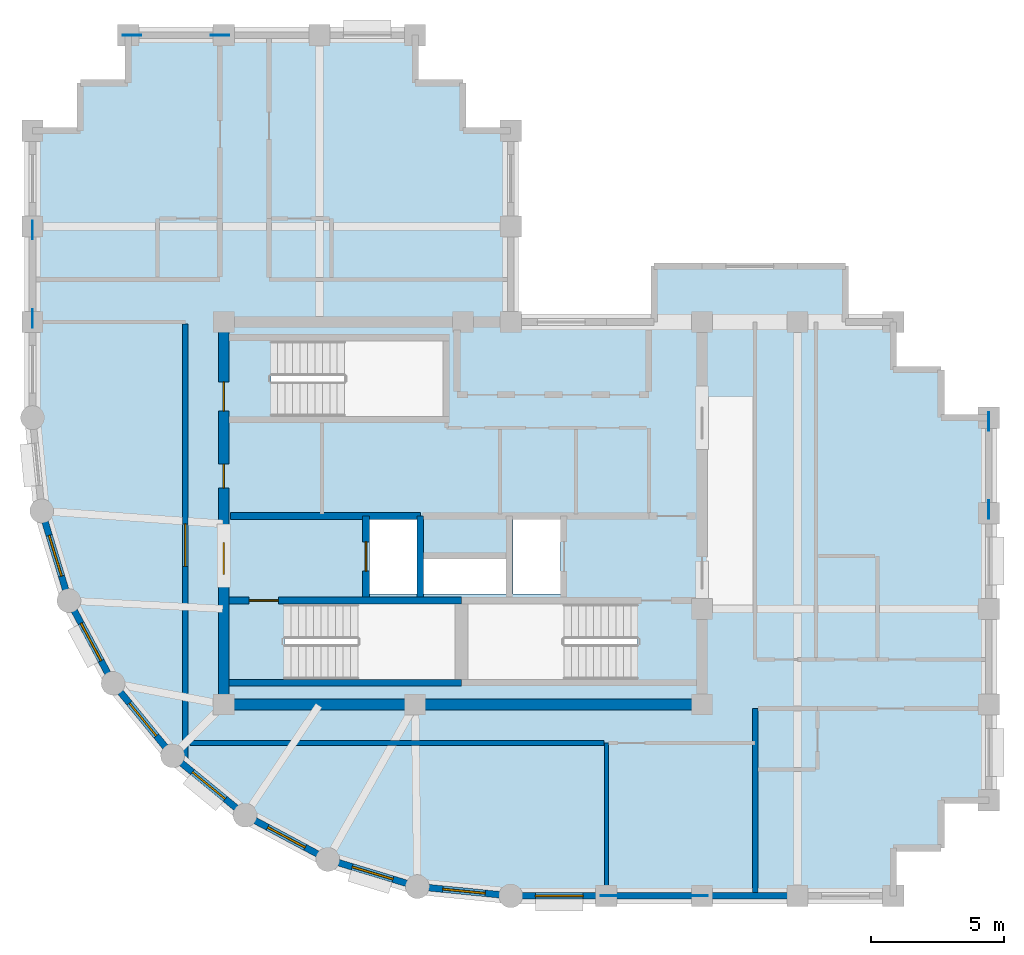
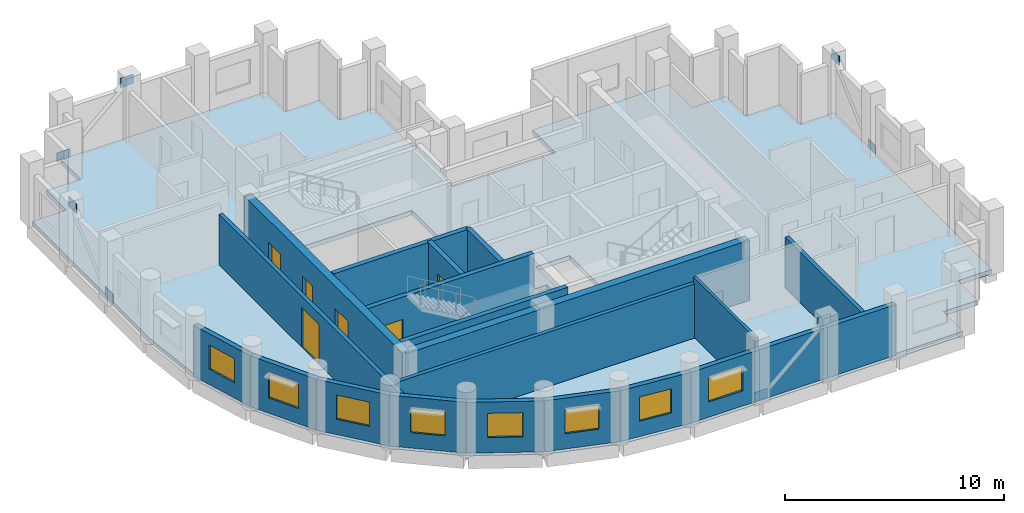
# One storey, part 2 of 7: 21 walls, 8 plates, 8 windows, 6 doors, 1 slab, 14 openings.
"""IFC4 building model written with IfcOpenShell, lengths in metres."""

from ifc_helpers import new_model, si_unit, direction, frame, frame_2d, origin, origin_2d, place, context, subcontext, project, spatial, polyline, rectangle, outline, extrude, material, layer, layer_set, type_object, element, fill, save


model = new_model("IFC4")

# Units and contexts
model_context = context("Model", 3, precision=1e-05, world=origin(), true_north=direction((0.0, 1.0)))
body_context = subcontext(model_context, "Body", "Model", "MODEL_VIEW")
ifc_project = project(units=[si_unit("LENGTHUNIT", "METRE"), si_unit("AREAUNIT", "SQUARE_METRE"), si_unit("VOLUMEUNIT", "CUBIC_METRE"), si_unit("PLANEANGLEUNIT", "RADIAN"), si_unit("MASSUNIT", "GRAM", prefix="KILO")], contexts=[model_context])

# Site, building, storey
site_placement = place(None, origin())
site = spatial("IfcSite", under=ifc_project, at=site_placement, CompositionType="ELEMENT")
building_placement = place(site_placement, origin())
building = spatial("IfcBuilding", under=site, at=building_placement, Name="Solnavia Interchange Tower", CompositionType="ELEMENT")
storey_placement = place(building_placement, frame((0.0, 0.0, 281.0)))
storey = spatial("IfcBuildingStorey", under=building, at=storey_placement, Name="L71", CompositionType="ELEMENT", Elevation=281.0)

# Plates
ifc_material_1 = material(Name="Steel S460", Category="steel")
ifc_layer_1 = layer(ifc_material_1, 0.030029296875)
ifc_layer_set_1 = layer_set([ifc_layer_1], Name="Steel S460")
plate_type = type_object("IfcPlateType", Name="Plate-Gusset-700x520x30", PredefinedType="USERDEFINED", material=ifc_layer_set_1)
for number, where, z_axis, x_axis, name in (
    (1, (28.93994140625, 3.60009765625, -0.080078125), (0.0, 0.0, 1.0), (1.0, 0.0, 0.0), "PLT-L71-GP01 Perimeter brace gusset plate"),
    (2, (32.260009765625, 3.60009765625, 2.909912109375), (0.0, 0.0, 1.0), (1.0, 0.0, 0.0), "PLT-L71-GP02 Perimeter brace gusset plate"),
    (3, (7.199951171875, 25.340087890625, -0.080078125), (0.0, 0.0, 1.0), (0.0, 1.0, 0.0), "PLT-L71-GP03 Perimeter brace gusset plate"),
    (4, (7.199951171875, 28.659912109375, 2.909912109375), (0.0, 0.0, 1.0), (0.0, 1.0, 0.0), "PLT-L71-GP04 Perimeter brace gusset plate"),
    (5, (43.199951171875, 18.139892578125, -0.080078125), (0.0, 0.0, 1.0), (0.0, 1.0, 0.0), "PLT-L71-GP05 Perimeter brace gusset plate"),
    (6, (43.199951171875, 21.4599609375, 2.909912109375), (0.0, 0.0, 1.0), (0.0, 1.0, 0.0), "PLT-L71-GP06 Perimeter brace gusset plate"),
    (7, (10.93994140625, 36.0, -0.080078125), (0.0, 0.0, 1.0), (1.0, 0.0, 0.0), "PLT-L71-GP07 Perimeter brace gusset plate"),
    (8, (14.260009765625, 36.0, 2.909912109375), (0.0, 0.0, 1.0), (1.0, 0.0, 0.0), "PLT-L71-GP08 Perimeter brace gusset plate"),
):
    element("IfcPlate", number, at=place(storey_placement, frame(where, z_axis=z_axis, x_axis=x_axis)), inside=storey, type_object=plate_type, Name=name, ObjectType="GUSSET PLATE", PredefinedType="USERDEFINED", context=body_context, shape_type="SweptSolid", body=[
        extrude(rectangle(XDim=0.699951171875, YDim=0.030029296875, at=origin_2d()), origin(), (0.0, 0.0, 1.0), 0.52001953125),
    ])

# Slab
ifc_material_2 = material(Name="Concrete C40/50", Category="concrete")
ifc_layer_2 = layer(ifc_material_2, 0.25)
ifc_layer_set_2 = layer_set([ifc_layer_2], Name="Concrete C40/50")
slab_type = type_object("IfcSlabType", Name="Slab-Tower-250", PredefinedType="FLOOR", material=ifc_layer_set_2)
slab_placement = place(storey_placement, frame((0.0, 0.0, -0.25)))
element("IfcSlab", 9, at=slab_placement, inside=storey, type_object=slab_type, Name="SLB-L71-01 Structural floor slab", PredefinedType="FLOOR", context=body_context, shape_type="SweptSolid", body=[
    extrude(outline(polyline([(25.199951171875, 3.60009765625), (39.60009765625, 3.60009765625), (39.60009765625, 5.39990234375), (41.39990234375, 5.39990234375), (41.39990234375, 7.199951171875), (43.199951171875, 7.199951171875), (43.199951171875, 21.60009765625), (41.39990234375, 21.60009765625), (41.39990234375, 23.39990234375), (39.60009765625, 23.39990234375), (39.60009765625, 25.199951171875), (37.800048828125, 25.199951171875), (37.800048828125, 27.300048828125), (30.60009765625, 27.300048828125), (30.60009765625, 25.199951171875), (25.199951171875, 25.199951171875), (25.199951171875, 32.39990234375), (23.39990234375, 32.39990234375), (23.39990234375, 34.199951171875), (21.60009765625, 34.199951171875), (21.60009765625, 36.0), (10.800048828125, 36.0), (10.800048828125, 34.199951171875), (9.0, 34.199951171875), (9.0, 32.39990234375), (7.199951171875, 32.39990234375), (7.199951171875, 21.60009765625), (7.5458984375, 18.087890625), (8.570068359375, 14.7119140625), (10.23388671875, 11.60009765625), (12.471923828125, 8.8720703125), (15.199951171875, 6.634033203125), (18.31201171875, 4.969970703125), (21.68798828125, 3.946044921875), (25.199951171875, 3.60009765625)]), holes=[polyline([(16.675048828125, 11.75), (23.10009765625, 11.75), (23.10009765625, 14.590087890625), (16.675048828125, 14.590087890625), (16.675048828125, 11.75)]), polyline([(23.60009765625, 11.75), (29.97509765625, 11.75), (29.97509765625, 14.590087890625), (23.60009765625, 14.590087890625), (23.60009765625, 11.75)]), polyline([(16.175048828125, 21.64990234375), (22.64990234375, 21.64990234375), (22.64990234375, 24.489990234375), (16.175048828125, 24.489990234375), (16.175048828125, 21.64990234375)]), polyline([(19.8798828125, 14.9599609375), (21.679931640625, 14.9599609375), (21.679931640625, 17.780029296875), (19.8798828125, 17.780029296875), (19.8798828125, 14.9599609375)]), polyline([(25.280029296875, 14.9599609375), (27.080078125, 14.9599609375), (27.080078125, 17.780029296875), (25.280029296875, 17.780029296875), (25.280029296875, 14.9599609375)]), polyline([(21.919921875, 14.9599609375), (25.02001953125, 14.9599609375), (25.02001953125, 16.280029296875), (21.919921875, 16.280029296875), (21.919921875, 14.9599609375)])]), origin(), (0.0, 0.0, 1.0), 0.25),
])

# Wall, opening, door
ifc_material_3 = material(Name="Gypsum Acoustic Twin-Stud & Mineral Wool", Category="gypsum")
ifc_layer_3 = layer(ifc_material_3, 0.199951171875)
ifc_layer_set_3 = layer_set([ifc_layer_3], Name="Gypsum Acoustic Twin-Stud & Mineral Wool")
wall_type_1 = type_object("IfcWallType", Name="Wall-ApartmentParty-200", PredefinedType="PARTITIONING", material=ifc_layer_set_3)
wall_1_placement = place(storey_placement, frame((12.949951171875, 8.60888671875, 0.0), z_axis=(0.0, 0.0, 1.0), x_axis=(0.0, 1.0, 0.0)))
wall_1 = element("IfcWall", 10, at=wall_1_placement, inside=storey, type_object=wall_type_1, Name="PTW-L71-09 Interior partition wall", PredefinedType="PARTITIONING", context=body_context, shape_type="SweptSolid", body=[
    extrude(rectangle(XDim=16.51220703125, YDim=0.199951171875, at=frame_2d((8.256103515625, 0.0))), origin(), (0.0, 0.0, 1.0), 2.830078125),
])
opening_1_placement = place(wall_1_placement, frame((7.39111328125, 0.0, 0.0)))
opening_1 = element("IfcOpeningElement", 11, at=opening_1_placement, cuts=wall_1, Name="Opening DR-08", PredefinedType="OPENING", context=body_context, shape_type="SweptSolid", body=[
    extrude(rectangle(XDim=1.60009765625, YDim=2.199951171875, at=frame_2d((0.800048828125, 1.10009765625))), frame((0.0, 0.10986328125, 0.0), z_axis=(0.0, -1.0, 0.0), x_axis=(1.0, 0.0, 0.0)), (0.0, 0.0, 1.0), 0.219970703125),
])
ifc_material_4 = material(Name="Thermally Broken Aluminium & Toughened Glass", Category="aluminium")
door_type_1 = type_object("IfcDoorType", Name="Door-RetailDouble-1600x2200", OperationType="DOUBLE_DOOR_SINGLE_SWING", PredefinedType="DOOR", material=ifc_material_4)
door_1_placement = place(opening_1_placement, origin())
door_1 = element("IfcDoor", 12, at=door_1_placement, inside=storey, type_object=door_type_1, Name="DR-L71-03 Interior room door", OperationType="DOUBLE_DOOR_SINGLE_SWING", OverallHeight=2.199951171875, OverallWidth=1.60009765625, PredefinedType="DOOR", context=body_context, shape_type="SweptSolid", body=[
    extrude(rectangle(XDim=1.60009765625, YDim=2.199951171875, at=frame_2d((0.800048828125, 1.10009765625))), frame((0.0, 0.02490234375, 0.0), z_axis=(0.0, -1.0, 0.0), x_axis=(1.0, 0.0, 0.0)), (0.0, 0.0, 1.0), 0.050048828125),
])
fill(opening_1, door_1)

# Walls
wall_2_placement = place(storey_placement, frame((13.1298828125, 9.35009765625, 0.0), z_axis=(0.0, 0.0, 1.0), x_axis=(1.0, 0.0, 0.0)))
element("IfcWall", 13, at=wall_2_placement, inside=storey, type_object=wall_type_1, Name="PTW-L71-10 Interior partition wall", PredefinedType="PARTITIONING", context=body_context, shape_type="SweptSolid", body=[
    extrude(rectangle(XDim=15.591064453125, YDim=0.199951171875, at=frame_2d((7.79541015625, 0.0))), origin(), (0.0, 0.0, 1.0), 3.02001953125),
])
wall_3_placement = place(storey_placement, frame((34.39990234375, 3.72900390625, 0.0), z_axis=(0.0, 0.0, 1.0), x_axis=(0.0, 1.0, 0.0)))
element("IfcWall", 14, at=wall_3_placement, inside=storey, type_object=wall_type_1, Name="PTW-L71-12 Interior partition wall", PredefinedType="PARTITIONING", context=body_context, shape_type="SweptSolid", body=[
    extrude(rectangle(XDim=6.9208984375, YDim=0.199951171875, at=frame_2d((3.46044921875, 0.0))), origin(), (0.0, 0.0, 1.0), 2.830078125),
])

# Wall, opening, window
ifc_layer_4 = layer(ifc_material_2, 0.25)
ifc_layer_set_4 = layer_set([ifc_layer_4], Name="Concrete C40/50")
wall_type_2 = type_object("IfcWallType", Name="Wall-ExtSpandrel-250", PredefinedType="STANDARD", material=ifc_layer_set_4)
wall_4_placement = place(storey_placement, frame((28.800048828125, 3.60009765625, 0.0), z_axis=(0.0, 0.0, 1.0), x_axis=(-1.0, 0.0, 0.0)))
wall_4 = element("IfcWall", 15, at=wall_4_placement, inside=storey, type_object=wall_type_2, Name="EXW-L71-01 Exterior precast spandrel wall", PredefinedType="STANDARD", context=body_context, shape_type="SweptSolid", body=[
    extrude(rectangle(XDim=3.60009765625, YDim=0.25, at=frame_2d((1.800048828125, 0.0))), origin(), (0.0, 0.0, 1.0), 2.830078125),
])
opening_2_placement = place(wall_4_placement, frame((0.875, 0.0, 0.85009765625)))
opening_2 = element("IfcOpeningElement", 16, at=opening_2_placement, cuts=wall_4, Name="Opening WIN-02", PredefinedType="OPENING", context=body_context, shape_type="SweptSolid", body=[
    extrude(rectangle(XDim=1.800048828125, YDim=1.35009765625, at=frame_2d((0.89990234375, 0.675048828125))), frame((0.0, 0.135009765625, 0.0), z_axis=(0.0, -1.0, 0.0), x_axis=(1.0, 0.0, 0.0)), (0.0, 0.0, 1.0), 0.27001953125),
])
ifc_material_5 = material(Name="Thermal-Break Aluminium & Low-E Glass", Category="aluminium")
window_type_1 = type_object("IfcWindowType", Name="Window-Ribbon-1800x1350", PartitioningType="SINGLE_PANEL", PredefinedType="WINDOW", material=ifc_material_5)
window_1_placement = place(opening_2_placement, origin())
window_1 = element("IfcWindow", 17, at=window_1_placement, inside=storey, type_object=window_type_1, Name="WIN-L71-01 Facade ribbon window", OverallHeight=1.35009765625, OverallWidth=1.800048828125, PartitioningType="SINGLE_PANEL", PredefinedType="WINDOW", context=body_context, shape_type="SweptSolid", body=[
    extrude(rectangle(XDim=1.800048828125, YDim=1.35009765625, at=frame_2d((0.89990234375, 0.675048828125))), frame((0.0, 0.030029296875, 0.0), z_axis=(0.0, -1.0, 0.0), x_axis=(1.0, 0.0, 0.0)), (0.0, 0.0, 1.0), 0.06005859375),
])
fill(opening_2, window_1)

# Walls
wall_5_placement = place(storey_placement, frame((32.39990234375, 3.60009765625, 0.0), z_axis=(0.0, 0.0, 1.0), x_axis=(-1.0, 0.0, 0.0)))
element("IfcWall", 18, at=wall_5_placement, inside=storey, type_object=wall_type_2, Name="EXW-L71-02 Exterior precast spandrel wall", PredefinedType="STANDARD", context=body_context, shape_type="SweptSolid", body=[
    extrude(rectangle(XDim=3.599853515625, YDim=0.25, at=frame_2d((1.7998046875, 0.0))), origin(), (0.0, 0.0, 1.0), 2.830078125),
])
wall_6_placement = place(storey_placement, frame((36.0, 3.60009765625, 0.0), z_axis=(0.0, 0.0, 1.0), x_axis=(-1.0, 0.0, 0.0)))
element("IfcWall", 19, at=wall_6_placement, inside=storey, type_object=wall_type_2, Name="EXW-L71-03 Exterior precast spandrel wall", PredefinedType="STANDARD", context=body_context, shape_type="SweptSolid", body=[
    extrude(rectangle(XDim=3.60009765625, YDim=0.25, at=frame_2d((1.800048828125, 0.0))), origin(), (0.0, 0.0, 1.0), 2.830078125),
])

# Wall, opening, window
wall_7_placement = place(storey_placement, frame((8.570068359375, 14.7119140625, 0.0), z_axis=(0.0, 0.0, 1.0), x_axis=(-0.290305086481, 0.956934144423, 0.0)))
wall_7 = element("IfcWall", 20, at=wall_7_placement, inside=storey, type_object=wall_type_2, Name="EXW-L71-42 Exterior precast spandrel wall", PredefinedType="STANDARD", context=body_context, shape_type="SweptSolid", body=[
    extrude(rectangle(XDim=3.52783203125, YDim=0.25, at=frame_2d((1.763916015625, 0.0))), origin(), (0.0, 0.0, 1.0), 2.830078125),
])
opening_3_placement = place(wall_7_placement, frame((0.964111328125, 0.0, 0.85009765625)))
opening_3 = element("IfcOpeningElement", 21, at=opening_3_placement, cuts=wall_7, Name="Opening WIN-04", PredefinedType="OPENING", context=body_context, shape_type="SweptSolid", body=[
    extrude(rectangle(XDim=1.60009765625, YDim=1.35009765625, at=frame_2d((0.800048828125, 0.675048828125))), frame((0.0, 0.135009765625, 0.0), z_axis=(0.0, -1.0, 0.0), x_axis=(1.0, 0.0, 0.0)), (0.0, 0.0, 1.0), 0.27001953125),
])
window_type_2 = type_object("IfcWindowType", Name="Window-Drum-1600x1350", PartitioningType="SINGLE_PANEL", PredefinedType="WINDOW", material=ifc_material_5)
window_2_placement = place(opening_3_placement, origin())
window_2 = element("IfcWindow", 22, at=window_2_placement, inside=storey, type_object=window_type_2, Name="WIN-L71-42 Facade ribbon window", OverallHeight=1.35009765625, OverallWidth=1.60009765625, PartitioningType="SINGLE_PANEL", PredefinedType="WINDOW", context=body_context, shape_type="SweptSolid", body=[
    extrude(rectangle(XDim=1.60009765625, YDim=1.35009765625, at=frame_2d((0.800048828125, 0.675048828125))), frame((0.0, 0.030029296875, 0.0), z_axis=(0.0, -1.0, 0.0), x_axis=(1.0, 0.0, 0.0)), (0.0, 0.0, 1.0), 0.06005859375),
])
fill(opening_3, window_2)

wall_8_placement = place(storey_placement, frame((10.23388671875, 11.60009765625, 0.0), z_axis=(0.0, 0.0, 1.0), x_axis=(-0.47151087309, 0.881860247748, 0.0)))
wall_8 = element("IfcWall", 23, at=wall_8_placement, inside=storey, type_object=wall_type_2, Name="EXW-L71-43 Exterior precast spandrel wall", PredefinedType="STANDARD", context=body_context, shape_type="SweptSolid", body=[
    extrude(rectangle(XDim=3.52880859375, YDim=0.25, at=frame_2d((1.764404296875, 0.0))), origin(), (0.0, 0.0, 1.0), 2.830078125),
])
opening_4_placement = place(wall_8_placement, frame((0.964111328125, 0.0, 0.85009765625)))
opening_4 = element("IfcOpeningElement", 24, at=opening_4_placement, cuts=wall_8, Name="Opening WIN-04", PredefinedType="OPENING", context=body_context, shape_type="SweptSolid", body=[
    extrude(rectangle(XDim=1.60009765625, YDim=1.35009765625, at=frame_2d((0.800048828125, 0.675048828125))), frame((0.0, 0.135009765625, 0.0), z_axis=(0.0, -1.0, 0.0), x_axis=(1.0, 0.0, 0.0)), (0.0, 0.0, 1.0), 0.27001953125),
])
window_3_placement = place(opening_4_placement, origin())
window_3 = element("IfcWindow", 25, at=window_3_placement, inside=storey, type_object=window_type_2, Name="WIN-L71-43 Facade ribbon window", OverallHeight=1.35009765625, OverallWidth=1.60009765625, PartitioningType="SINGLE_PANEL", PredefinedType="WINDOW", context=body_context, shape_type="SweptSolid", body=[
    extrude(rectangle(XDim=1.60009765625, YDim=1.35009765625, at=frame_2d((0.800048828125, 0.675048828125))), frame((0.0, 0.030029296875, 0.0), z_axis=(0.0, -1.0, 0.0), x_axis=(1.0, 0.0, 0.0)), (0.0, 0.0, 1.0), 0.06005859375),
])
fill(opening_4, window_3)

wall_9_placement = place(storey_placement, frame((12.471923828125, 8.8720703125, 0.0), z_axis=(0.0, 0.0, 1.0), x_axis=(-0.634258295121, 0.773121216285, 0.0)))
wall_9 = element("IfcWall", 26, at=wall_9_placement, inside=storey, type_object=wall_type_2, Name="EXW-L71-44 Exterior precast spandrel wall", PredefinedType="STANDARD", context=body_context, shape_type="SweptSolid", body=[
    extrude(rectangle(XDim=3.528564453125, YDim=0.25, at=frame_2d((1.76416015625, 0.0))), origin(), (0.0, 0.0, 1.0), 2.830078125),
])
opening_5_placement = place(wall_9_placement, frame((0.964111328125, 0.0, 0.85009765625)))
opening_5 = element("IfcOpeningElement", 27, at=opening_5_placement, cuts=wall_9, Name="Opening WIN-04", PredefinedType="OPENING", context=body_context, shape_type="SweptSolid", body=[
    extrude(rectangle(XDim=1.60009765625, YDim=1.35009765625, at=frame_2d((0.800048828125, 0.675048828125))), frame((0.0, 0.135009765625, 0.0), z_axis=(0.0, -1.0, 0.0), x_axis=(1.0, 0.0, 0.0)), (0.0, 0.0, 1.0), 0.27001953125),
])
window_4_placement = place(opening_5_placement, origin())
window_4 = element("IfcWindow", 28, at=window_4_placement, inside=storey, type_object=window_type_2, Name="WIN-L71-44 Facade ribbon window", OverallHeight=1.35009765625, OverallWidth=1.60009765625, PartitioningType="SINGLE_PANEL", PredefinedType="WINDOW", context=body_context, shape_type="SweptSolid", body=[
    extrude(rectangle(XDim=1.60009765625, YDim=1.35009765625, at=frame_2d((0.800048828125, 0.675048828125))), frame((0.0, 0.030029296875, 0.0), z_axis=(0.0, -1.0, 0.0), x_axis=(1.0, 0.0, 0.0)), (0.0, 0.0, 1.0), 0.06005859375),
])
fill(opening_5, window_4)

wall_10_placement = place(storey_placement, frame((15.199951171875, 6.634033203125, 0.0), z_axis=(0.0, 0.0, 1.0), x_axis=(-0.773121216285, 0.634258295121, 0.0)))
wall_10 = element("IfcWall", 29, at=wall_10_placement, inside=storey, type_object=wall_type_2, Name="EXW-L71-45 Exterior precast spandrel wall", PredefinedType="STANDARD", context=body_context, shape_type="SweptSolid", body=[
    extrude(rectangle(XDim=3.528564453125, YDim=0.25, at=frame_2d((1.76416015625, 0.0))), origin(), (0.0, 0.0, 1.0), 2.830078125),
])
opening_6_placement = place(wall_10_placement, frame((0.964111328125, 0.0, 0.85009765625)))
opening_6 = element("IfcOpeningElement", 30, at=opening_6_placement, cuts=wall_10, Name="Opening WIN-04", PredefinedType="OPENING", context=body_context, shape_type="SweptSolid", body=[
    extrude(rectangle(XDim=1.60009765625, YDim=1.35009765625, at=frame_2d((0.800048828125, 0.675048828125))), frame((0.0, 0.135009765625, 0.0), z_axis=(0.0, -1.0, 0.0), x_axis=(1.0, 0.0, 0.0)), (0.0, 0.0, 1.0), 0.27001953125),
])
window_5_placement = place(opening_6_placement, origin())
window_5 = element("IfcWindow", 31, at=window_5_placement, inside=storey, type_object=window_type_2, Name="WIN-L71-45 Facade ribbon window", OverallHeight=1.35009765625, OverallWidth=1.60009765625, PartitioningType="SINGLE_PANEL", PredefinedType="WINDOW", context=body_context, shape_type="SweptSolid", body=[
    extrude(rectangle(XDim=1.60009765625, YDim=1.35009765625, at=frame_2d((0.800048828125, 0.675048828125))), frame((0.0, 0.030029296875, 0.0), z_axis=(0.0, -1.0, 0.0), x_axis=(1.0, 0.0, 0.0)), (0.0, 0.0, 1.0), 0.06005859375),
])
fill(opening_6, window_5)

wall_11_placement = place(storey_placement, frame((18.31201171875, 4.969970703125, 0.0), z_axis=(0.0, 0.0, 1.0), x_axis=(-0.881846862014, 0.471535907389, 0.0)))
wall_11 = element("IfcWall", 32, at=wall_11_placement, inside=storey, type_object=wall_type_2, Name="EXW-L71-46 Exterior precast spandrel wall", PredefinedType="STANDARD", context=body_context, shape_type="SweptSolid", body=[
    extrude(rectangle(XDim=3.529052734375, YDim=0.25, at=frame_2d((1.7646484375, 0.0))), origin(), (0.0, 0.0, 1.0), 2.830078125),
])
opening_7_placement = place(wall_11_placement, frame((0.964111328125, 0.0, 0.85009765625)))
opening_7 = element("IfcOpeningElement", 33, at=opening_7_placement, cuts=wall_11, Name="Opening WIN-04", PredefinedType="OPENING", context=body_context, shape_type="SweptSolid", body=[
    extrude(rectangle(XDim=1.60009765625, YDim=1.35009765625, at=frame_2d((0.800048828125, 0.675048828125))), frame((0.0, 0.135009765625, 0.0), z_axis=(0.0, -1.0, 0.0), x_axis=(1.0, 0.0, 0.0)), (0.0, 0.0, 1.0), 0.27001953125),
])
window_6_placement = place(opening_7_placement, origin())
window_6 = element("IfcWindow", 34, at=window_6_placement, inside=storey, type_object=window_type_2, Name="WIN-L71-46 Facade ribbon window", OverallHeight=1.35009765625, OverallWidth=1.60009765625, PartitioningType="SINGLE_PANEL", PredefinedType="WINDOW", context=body_context, shape_type="SweptSolid", body=[
    extrude(rectangle(XDim=1.60009765625, YDim=1.35009765625, at=frame_2d((0.800048828125, 0.675048828125))), frame((0.0, 0.030029296875, 0.0), z_axis=(0.0, -1.0, 0.0), x_axis=(1.0, 0.0, 0.0)), (0.0, 0.0, 1.0), 0.06005859375),
])
fill(opening_7, window_6)

wall_12_placement = place(storey_placement, frame((21.68798828125, 3.946044921875, 0.0), z_axis=(0.0, 0.0, 1.0), x_axis=(-0.956953367403, 0.290241714123, 0.0)))
wall_12 = element("IfcWall", 35, at=wall_12_placement, inside=storey, type_object=wall_type_2, Name="EXW-L71-47 Exterior precast spandrel wall", PredefinedType="STANDARD", context=body_context, shape_type="SweptSolid", body=[
    extrude(rectangle(XDim=3.52783203125, YDim=0.25, at=frame_2d((1.763916015625, 0.0))), origin(), (0.0, 0.0, 1.0), 2.830078125),
])
opening_8_placement = place(wall_12_placement, frame((0.964111328125, 0.0, 0.85009765625)))
opening_8 = element("IfcOpeningElement", 36, at=opening_8_placement, cuts=wall_12, Name="Opening WIN-04", PredefinedType="OPENING", context=body_context, shape_type="SweptSolid", body=[
    extrude(rectangle(XDim=1.60009765625, YDim=1.35009765625, at=frame_2d((0.800048828125, 0.675048828125))), frame((0.0, 0.135009765625, 0.0), z_axis=(0.0, -1.0, 0.0), x_axis=(1.0, 0.0, 0.0)), (0.0, 0.0, 1.0), 0.27001953125),
])
window_7_placement = place(opening_8_placement, origin())
window_7 = element("IfcWindow", 37, at=window_7_placement, inside=storey, type_object=window_type_2, Name="WIN-L71-47 Facade ribbon window", OverallHeight=1.35009765625, OverallWidth=1.60009765625, PartitioningType="SINGLE_PANEL", PredefinedType="WINDOW", context=body_context, shape_type="SweptSolid", body=[
    extrude(rectangle(XDim=1.60009765625, YDim=1.35009765625, at=frame_2d((0.800048828125, 0.675048828125))), frame((0.0, 0.030029296875, 0.0), z_axis=(0.0, -1.0, 0.0), x_axis=(1.0, 0.0, 0.0)), (0.0, 0.0, 1.0), 0.06005859375),
])
fill(opening_8, window_7)

wall_13_placement = place(storey_placement, frame((25.199951171875, 3.60009765625, 0.0), z_axis=(0.0, 0.0, 1.0), x_axis=(-0.995183369056, 0.098030923459, 0.0)))
wall_13 = element("IfcWall", 38, at=wall_13_placement, inside=storey, type_object=wall_type_2, Name="EXW-L71-48 Exterior precast spandrel wall", PredefinedType="STANDARD", context=body_context, shape_type="SweptSolid", body=[
    extrude(rectangle(XDim=3.529052734375, YDim=0.25, at=frame_2d((1.7646484375, 0.0))), origin(), (0.0, 0.0, 1.0), 2.830078125),
])
opening_9_placement = place(wall_13_placement, frame((0.965087890625, 0.0, 0.85009765625)))
opening_9 = element("IfcOpeningElement", 39, at=opening_9_placement, cuts=wall_13, Name="Opening WIN-04", PredefinedType="OPENING", context=body_context, shape_type="SweptSolid", body=[
    extrude(rectangle(XDim=1.60009765625, YDim=1.35009765625, at=frame_2d((0.800048828125, 0.675048828125))), frame((0.0, 0.135009765625, 0.0), z_axis=(0.0, -1.0, 0.0), x_axis=(1.0, 0.0, 0.0)), (0.0, 0.0, 1.0), 0.27001953125),
])
window_8_placement = place(opening_9_placement, origin())
window_8 = element("IfcWindow", 40, at=window_8_placement, inside=storey, type_object=window_type_2, Name="WIN-L71-48 Facade ribbon window", OverallHeight=1.35009765625, OverallWidth=1.60009765625, PartitioningType="SINGLE_PANEL", PredefinedType="WINDOW", context=body_context, shape_type="SweptSolid", body=[
    extrude(rectangle(XDim=1.60009765625, YDim=1.35009765625, at=frame_2d((0.800048828125, 0.675048828125))), frame((0.0, 0.030029296875, 0.0), z_axis=(0.0, -1.0, 0.0), x_axis=(1.0, 0.0, 0.0)), (0.0, 0.0, 1.0), 0.06005859375),
])
fill(opening_9, window_8)

# Walls
ifc_material_6 = material(Name="Gypsum Plasterboard & Steel Stud", Category="steel")
ifc_layer_5 = layer(ifc_material_6, 0.14990234375)
ifc_layer_set_5 = layer_set([ifc_layer_5], Name="Gypsum Plasterboard & Steel Stud")
wall_type_3 = type_object("IfcWallType", Name="Wall-Partition-150", PredefinedType="PARTITIONING", material=ifc_layer_set_5)
wall_14_placement = place(storey_placement, frame((28.800048828125, 9.35009765625, 0.0), z_axis=(0.0, 0.0, 1.0), x_axis=(0.0, -1.0, 0.0)))
element("IfcWall", 41, at=wall_14_placement, inside=storey, type_object=wall_type_3, Name="PTW-L71-08 Interior partition wall", PredefinedType="PARTITIONING", context=body_context, shape_type="SweptSolid", body=[
    extrude(rectangle(XDim=5.62109375, YDim=0.14990234375, at=frame_2d((2.810546875, 0.0))), origin(), (0.0, 0.0, 1.0), 3.3349609375),
])
ifc_layer_6 = layer(ifc_material_2, 0.25)
ifc_layer_set_6 = layer_set([ifc_layer_6], Name="Concrete C40/50")
wall_type_4 = type_object("IfcWallType", Name="Wall-ShaftCore-250", PredefinedType="SHEAR", material=ifc_layer_set_6)
wall_15_placement = place(storey_placement, frame((14.60009765625, 11.625, 0.0), z_axis=(0.0, 0.0, 1.0), x_axis=(1.0, 0.0, 0.0)))
element("IfcWall", 42, at=wall_15_placement, inside=storey, type_object=wall_type_4, Name="SHW-L71-ST1S Core shear wall", PredefinedType="SHEAR", context=body_context, shape_type="SweptSolid", body=[
    extrude(rectangle(XDim=8.75, YDim=0.25, at=frame_2d((4.375, 0.0))), origin(), (0.0, 0.0, 1.0), 3.35009765625),
])

# Wall, opening, door
wall_16_placement = place(storey_placement, frame((14.60009765625, 14.715087890625, 0.0), z_axis=(0.0, 0.0, 1.0), x_axis=(1.0, 0.0, 0.0)))
wall_16 = element("IfcWall", 43, at=wall_16_placement, inside=storey, type_object=wall_type_4, Name="SHW-L71-ST1N Core shear wall", PredefinedType="SHEAR", context=body_context, shape_type="SweptSolid", body=[
    extrude(rectangle(XDim=8.75, YDim=0.25, at=frame_2d((4.375, 0.0))), origin(), (0.0, 0.0, 1.0), 3.35009765625),
])
opening_10_placement = place(wall_16_placement, frame((0.7548828125, 0.0, 0.0)))
opening_10 = element("IfcOpeningElement", 44, at=opening_10_placement, cuts=wall_16, Name="Opening DR-01", PredefinedType="OPENING", context=body_context, shape_type="SweptSolid", body=[
    extrude(rectangle(XDim=1.10009765625, YDim=2.10009765625, at=frame_2d((0.550048828125, 1.050048828125))), frame((0.0, 0.135009765625, 0.0), z_axis=(0.0, -1.0, 0.0), x_axis=(1.0, 0.0, 0.0)), (0.0, 0.0, 1.0), 0.27001953125),
])
ifc_material_7 = material(Name="Steel Fire-Rated Leaf & Frame", Category="steel")
door_type_2 = type_object("IfcDoorType", Name="Door-StairFire-1100x2100", OperationType="SINGLE_SWING_LEFT", PredefinedType="DOOR", material=ifc_material_7)
door_2_placement = place(opening_10_placement, origin())
door_2 = element("IfcDoor", 45, at=door_2_placement, inside=storey, type_object=door_type_2, Name="DR-L71-ST1 Core fire door", OperationType="SINGLE_SWING_LEFT", OverallHeight=2.10009765625, OverallWidth=1.10009765625, PredefinedType="DOOR", context=body_context, shape_type="SweptSolid", body=[
    extrude(rectangle(XDim=1.10009765625, YDim=2.10009765625, at=frame_2d((0.550048828125, 1.050048828125))), frame((0.0, 0.02490234375, 0.0), z_axis=(0.0, -1.0, 0.0), x_axis=(1.0, 0.0, 0.0)), (0.0, 0.0, 1.0), 0.050048828125),
])
fill(opening_10, door_2)

# Wall
ifc_layer_7 = layer(ifc_material_2, 0.25)
ifc_layer_set_7 = layer_set([ifc_layer_7], Name="Concrete C40/50")
wall_type_5 = type_object("IfcWallType", Name="Wall-ShaftPart-250", PredefinedType="PARTITIONING", material=ifc_layer_set_7)
wall_17_placement = place(storey_placement, frame((14.64990234375, 17.89990234375, 0.0), z_axis=(0.0, 0.0, 1.0), x_axis=(1.0, 0.0, 0.0)))
element("IfcWall", 46, at=wall_17_placement, inside=storey, type_object=wall_type_5, Name="SHW-L71-FFLW-N Core shaft wall", PredefinedType="PARTITIONING", context=body_context, shape_type="SweptSolid", body=[
    extrude(rectangle(XDim=7.150146484375, YDim=0.25, at=frame_2d((3.5751953125, 0.0))), origin(), (0.0, 0.0, 1.0), 3.3349609375),
])

# Wall, opening, door
wall_18_placement = place(storey_placement, frame((19.75, 14.840087890625, 0.0), z_axis=(0.0, 0.0, 1.0), x_axis=(0.0, 1.0, 0.0)))
wall_18 = element("IfcWall", 47, at=wall_18_placement, inside=storey, type_object=wall_type_5, Name="SHW-L71-FFL1-W Core shaft wall", PredefinedType="PARTITIONING", context=body_context, shape_type="SweptSolid", body=[
    extrude(rectangle(XDim=3.059814453125, YDim=0.25, at=frame_2d((1.52978515625, 0.0))), origin(), (0.0, 0.0, 1.0), 3.3349609375),
])
opening_11_placement = place(wall_18_placement, frame((0.97998046875, 0.0, 0.0)))
opening_11 = element("IfcOpeningElement", 48, at=opening_11_placement, cuts=wall_18, Name="Opening LD-01", PredefinedType="OPENING", context=body_context, shape_type="SweptSolid", body=[
    extrude(rectangle(XDim=1.10009765625, YDim=2.10009765625, at=frame_2d((0.550048828125, 1.050048828125))), frame((0.0, 0.135009765625, 0.0), z_axis=(0.0, -1.0, 0.0), x_axis=(1.0, 0.0, 0.0)), (0.0, 0.0, 1.0), 0.27001953125),
])
ifc_material_8 = material(Name="Brushed Stainless Steel Sliding Door", Category="steel")
door_type_3 = type_object("IfcDoorType", Name="Door-LiftLanding-1100x2100", OperationType="SLIDING_TO_LEFT", PredefinedType="DOOR", material=ifc_material_8)
door_3_placement = place(opening_11_placement, origin())
door_3 = element("IfcDoor", 49, at=door_3_placement, inside=storey, type_object=door_type_3, Name="LD-L71-FFL1 Lift landing sliding door", OperationType="SLIDING_TO_LEFT", OverallHeight=2.10009765625, OverallWidth=1.10009765625, PredefinedType="DOOR", context=body_context, shape_type="SweptSolid", body=[
    extrude(rectangle(XDim=1.10009765625, YDim=2.10009765625, at=frame_2d((0.550048828125, 1.050048828125))), frame((0.0, 0.02490234375, 0.0), z_axis=(0.0, -1.0, 0.0), x_axis=(1.0, 0.0, 0.0)), (0.0, 0.0, 1.0), 0.050048828125),
])
fill(opening_11, door_3)

# Walls
wall_19_placement = place(storey_placement, frame((21.800048828125, 14.840087890625, 0.0), z_axis=(0.0, 0.0, 1.0), x_axis=(0.0, 1.0, 0.0)))
element("IfcWall", 50, at=wall_19_placement, inside=storey, type_object=wall_type_5, Name="SHW-L71-FFL1-E Core shaft wall", PredefinedType="PARTITIONING", context=body_context, shape_type="SweptSolid", body=[
    extrude(rectangle(XDim=3.059814453125, YDim=0.25, at=frame_2d((1.52978515625, 0.0))), origin(), (0.0, 0.0, 1.0), 3.3349609375),
])
ifc_material_9 = material(Name="Concrete C50/60", Category="concrete")
ifc_layer_8 = layer(ifc_material_9, 0.39990234375)
ifc_layer_set_8 = layer_set([ifc_layer_8], Name="Concrete C50/60")
wall_type_6 = type_object("IfcWallType", Name="Wall-ShearCore-400", PredefinedType="SHEAR", material=ifc_layer_set_8)
wall_20_placement = place(storey_placement, frame((14.39990234375, 10.800048828125, 0.0), z_axis=(0.0, 0.0, 1.0), x_axis=(1.0, 0.0, 0.0)))
element("IfcWall", 51, at=wall_20_placement, inside=storey, type_object=wall_type_6, Name="CRW-L71-S Core shear wall", PredefinedType="SHEAR", context=body_context, shape_type="SweptSolid", body=[
    extrude(rectangle(XDim=18.0, YDim=0.39990234375, at=frame_2d((9.0, 0.0))), origin(), (0.0, 0.0, 1.0), 3.35009765625),
])

# Wall, openings, doors
wall_21_placement = place(storey_placement, frame((14.39990234375, 10.800048828125, 0.0), z_axis=(0.0, 0.0, 1.0), x_axis=(0.0, 1.0, 0.0)))
wall_21 = element("IfcWall", 52, at=wall_21_placement, inside=storey, type_object=wall_type_6, Name="CRW-L71-W Core shear wall", PredefinedType="SHEAR", context=body_context, shape_type="SweptSolid", body=[
    extrude(rectangle(XDim=14.39990234375, YDim=0.39990234375, at=frame_2d((7.199951171875, 0.0))), origin(), (0.0, 0.0, 1.0), 3.35009765625),
])
opening_12_placement = place(wall_21_placement, frame((11.050048828125, 0.0, 0.0)))
opening_12 = element("IfcOpeningElement", 53, at=opening_12_placement, cuts=wall_21, Name="Opening DR-01", PredefinedType="OPENING", context=body_context, shape_type="SweptSolid", body=[
    extrude(rectangle(XDim=1.10009765625, YDim=2.10009765625, at=frame_2d((0.550048828125, 1.050048828125))), frame((0.0, 0.2099609375, 0.0), z_axis=(0.0, -1.0, 0.0), x_axis=(1.0, 0.0, 0.0)), (0.0, 0.0, 1.0), 0.419921875),
])
opening_13_placement = place(wall_21_placement, frame((4.89990234375, 0.0, 0.0)))
opening_13 = element("IfcOpeningElement", 54, at=opening_13_placement, cuts=wall_21, Name="Opening DR-02", PredefinedType="OPENING", context=body_context, shape_type="SweptSolid", body=[
    extrude(rectangle(XDim=1.199951171875, YDim=2.10009765625, at=frame_2d((0.60009765625, 1.050048828125))), frame((0.0, 0.2099609375, 0.0), z_axis=(0.0, -1.0, 0.0), x_axis=(1.0, 0.0, 0.0)), (0.0, 0.0, 1.0), 0.419921875),
])
opening_14_placement = place(wall_21_placement, frame((8.14990234375, 0.0, 0.0)))
opening_14 = element("IfcOpeningElement", 55, at=opening_14_placement, cuts=wall_21, Name="Opening DR-09", PredefinedType="OPENING", context=body_context, shape_type="SweptSolid", body=[
    extrude(rectangle(XDim=0.89990234375, YDim=2.10009765625, at=frame_2d((0.449951171875, 1.050048828125))), frame((0.0, 0.2099609375, 0.0), z_axis=(0.0, -1.0, 0.0), x_axis=(1.0, 0.0, 0.0)), (0.0, 0.0, 1.0), 0.419921875),
])
ifc_material_10 = material(Name="Engineered Oak Veneer Door", Category="wood")
door_type_4 = type_object("IfcDoorType", Name="Door-Internal-900x2100", OperationType="SINGLE_SWING_LEFT", PredefinedType="DOOR", material=ifc_material_10)
door_4_placement = place(opening_14_placement, origin())
door_4 = element("IfcDoor", 56, at=door_4_placement, inside=storey, type_object=door_type_4, Name="DR-L71-CS1 Core fire door", OperationType="SINGLE_SWING_RIGHT", OverallHeight=2.10009765625, OverallWidth=0.89990234375, PredefinedType="DOOR", context=body_context, shape_type="SweptSolid", body=[
    extrude(rectangle(XDim=0.89990234375, YDim=2.10009765625, at=frame_2d((0.449951171875, 1.050048828125))), frame((0.0, 0.02490234375, 0.0), z_axis=(0.0, -1.0, 0.0), x_axis=(1.0, 0.0, 0.0)), (0.0, 0.0, 1.0), 0.050048828125),
])
fill(opening_14, door_4)
ifc_material_11 = material(Name="Steel Fire-Rated Vision-Panel Door", Category="steel")
door_type_5 = type_object("IfcDoorType", Name="Door-LobbyFire-1200x2100", OperationType="SINGLE_SWING_RIGHT", PredefinedType="DOOR", material=ifc_material_11)
door_5_placement = place(opening_13_placement, origin())
door_5 = element("IfcDoor", 57, at=door_5_placement, inside=storey, type_object=door_type_5, Name="DR-L71-FFL1W Core fire door", OperationType="SINGLE_SWING_RIGHT", OverallHeight=2.10009765625, OverallWidth=1.199951171875, PredefinedType="DOOR", context=body_context, shape_type="SweptSolid", body=[
    extrude(rectangle(XDim=1.199951171875, YDim=2.10009765625, at=frame_2d((0.60009765625, 1.050048828125))), frame((0.0, 0.02490234375, 0.0), z_axis=(0.0, -1.0, 0.0), x_axis=(1.0, 0.0, 0.0)), (0.0, 0.0, 1.0), 0.050048828125),
])
fill(opening_13, door_5)
door_6_placement = place(opening_12_placement, origin())
door_6 = element("IfcDoor", 58, at=door_6_placement, inside=storey, type_object=door_type_2, Name="DR-L71-ST3 Core fire door", OperationType="SINGLE_SWING_RIGHT", OverallHeight=2.10009765625, OverallWidth=1.10009765625, PredefinedType="DOOR", context=body_context, shape_type="SweptSolid", body=[
    extrude(rectangle(XDim=1.10009765625, YDim=2.10009765625, at=frame_2d((0.550048828125, 1.050048828125))), frame((0.0, 0.02490234375, 0.0), z_axis=(0.0, -1.0, 0.0), x_axis=(1.0, 0.0, 0.0)), (0.0, 0.0, 1.0), 0.050048828125),
])
fill(opening_12, door_6)

save(model, "model.ifc")
